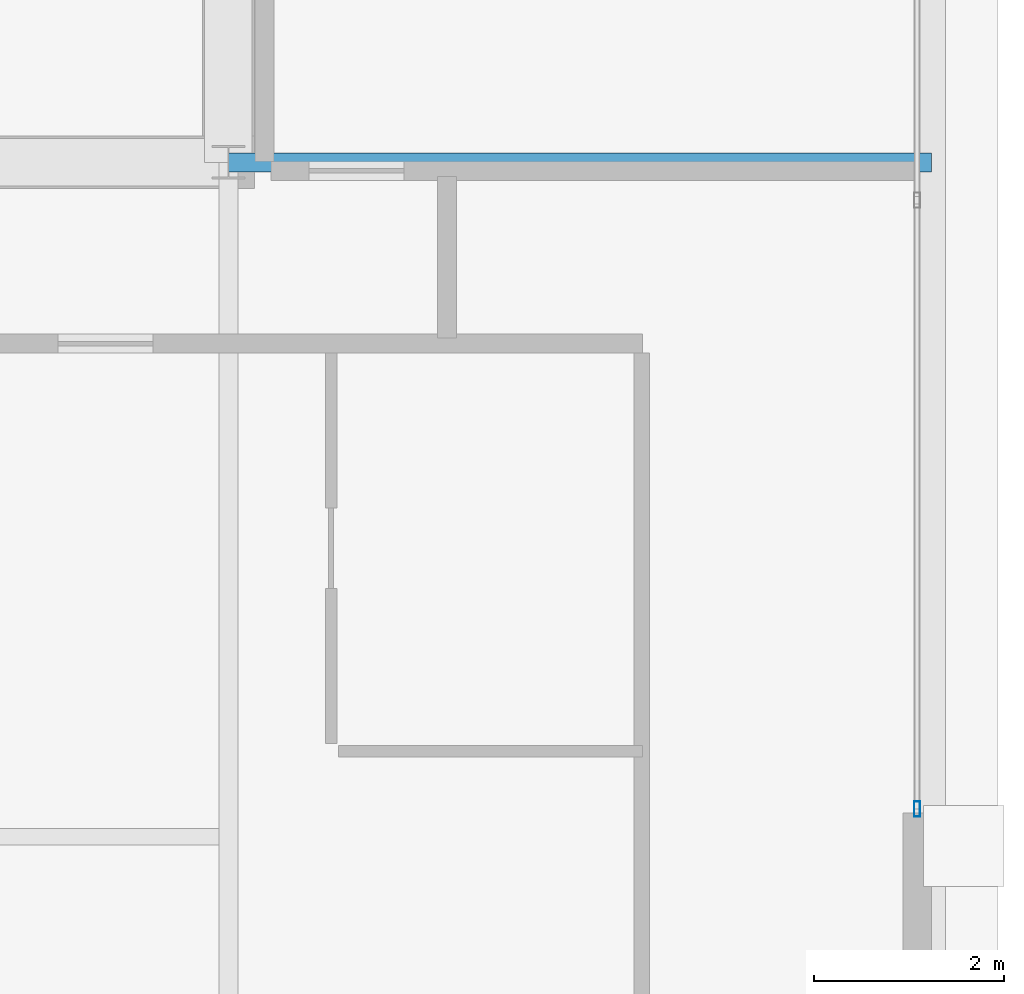
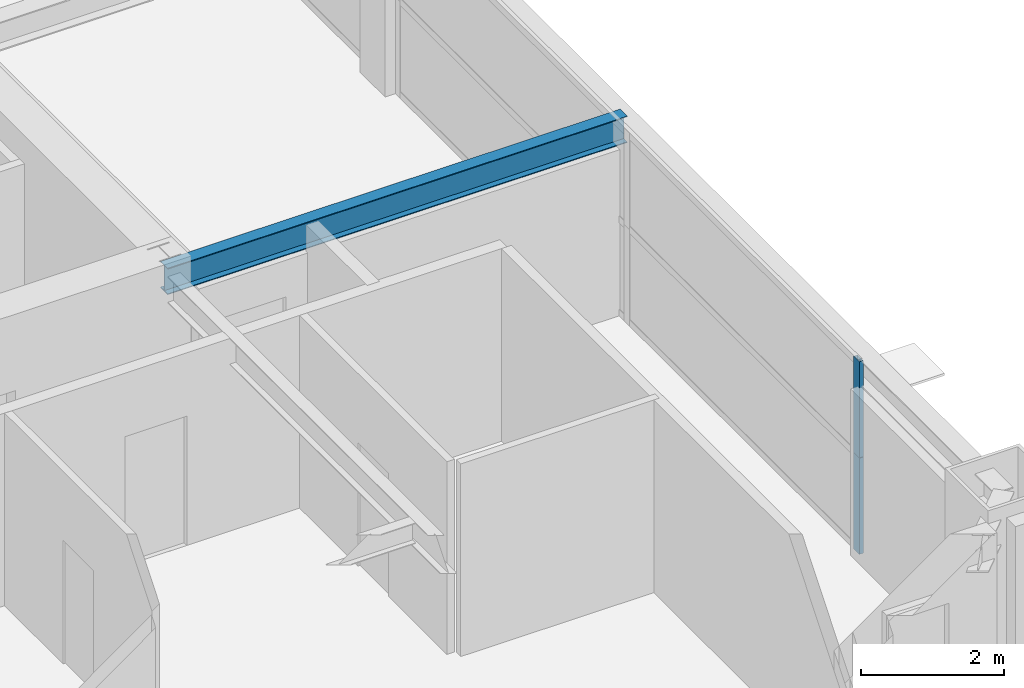
# One storey, part 18 of 37: 2 members, 1 beam, 1 element without a shape of its own.
"""IFC4 building model written with IfcOpenShell, lengths in metres."""

from ifc_helpers import new_model, si_unit, direction, frame, origin, origin_2d, place, context, subcontext, project, spatial, hollow_rectangle, i_section, extrude, source, transform, mapped, material, layer, layer_set, material_profile, profile_set, type_object, element, aggregate, save


model = new_model("IFC4")

# Units and contexts
model_context = context("Model", 3, precision=1e-05, world=origin(), true_north=direction((0.0, 1.0)))
body_context = subcontext(model_context, "Body", "Model", "MODEL_VIEW")
ifc_project = project(units=[si_unit("LENGTHUNIT", "METRE"), si_unit("AREAUNIT", "SQUARE_METRE"), si_unit("VOLUMEUNIT", "CUBIC_METRE"), si_unit("PLANEANGLEUNIT", "RADIAN"), si_unit("MASSUNIT", "GRAM", prefix="KILO"), si_unit("THERMODYNAMICTEMPERATUREUNIT", "KELVIN"), si_unit("POWERUNIT", "WATT")], contexts=[model_context])

# Site, building, storey
site_placement = place(None, origin())
site = spatial("IfcSite", under=ifc_project, at=site_placement, CompositionType="ELEMENT")
building_placement = place(site_placement, origin())
building = spatial("IfcBuilding", under=site, at=building_placement, Name="Yuzanri Waterfront Tower", CompositionType="ELEMENT")
storey_placement = place(building_placement, frame((0.0, 0.0, 268.10009765625)))
storey = spatial("IfcBuildingStorey", under=building, at=storey_placement, Name="L71", CompositionType="ELEMENT", Elevation=268.10009765625)

# Beam
ifc_material_1 = material(Name="Steel Q355B", Category="steel")
ifc_material_profile_1 = material_profile(ifc_material_1, i_section(OverallWidth=0.199951171875, OverallDepth=0.449951171875, WebThickness=0.009033203125, FlangeThickness=0.013916015625, at=origin_2d()), Name="HN 450x200x9x14")
ifc_profile_set_1 = profile_set([ifc_material_profile_1], Name="Steel Q355B")
beam_type = type_object("IfcBeamType", Name="Secondary Floor Beam Q355B HN 450x200", PredefinedType="BEAM", material=ifc_profile_set_1)
shared_shape_1 = source(origin(), body_context, "Body", "SweptSolid", [
    extrude(i_section(OverallWidth=0.199951171875, OverallDepth=0.449951171875, WebThickness=0.009033203125, FlangeThickness=0.013916015625, at=origin_2d()), origin(), (0.0, 0.0, 1.0), 7.400146484375),
])
beam_placement = place(storey_placement, frame((50.199951171875, 19.39990234375, 3.054931640625), z_axis=(1.0, 0.0, 0.0), x_axis=(0.0, 1.0, 0.0)))
element("IfcBeam", 1, at=beam_placement, inside=storey, type_object=beam_type, Name="L71 East-South Core Line Beam", PredefinedType="BEAM", context=body_context, shape_type="MappedRepresentation", body=[
    mapped(shared_shape_1, transform((0.0, 0.0, 0.0), scale=1.0)),
])

# Curtain wall, members
ifc_material_2 = material(Name="Anodized Architectural Bronze", Category="metal")
ifc_layer = layer(ifc_material_2, 0.159912109375)
ifc_layer_set = layer_set([ifc_layer], Name="Anodized Architectural Bronze")
curtain_wall_type = type_object("IfcCurtainWallType", Name="Anodized Bronze Mid-Rise Residential Acoustic Unitized Curtain Wall 7200", PredefinedType="NOTDEFINED", material=ifc_layer_set)
curtain_wall_placement = place(storey_placement, origin())
curtain_wall = element("IfcCurtainWall", 2, at=curtain_wall_placement, inside=storey, type_object=curtain_wall_type, Name="L71 Curtain Wall CW-L71-EL", PredefinedType="NOTDEFINED")
ifc_material_3 = material(Name="Anodized Architectural Bronze", Category="metal")
ifc_material_profile_2 = material_profile(ifc_material_3, hollow_rectangle(XDim=0.06494140625, YDim=0.159912109375, WallThickness=0.00341796875, at=origin_2d()), Name="CWM 65x160")
ifc_profile_set_2 = profile_set([ifc_material_profile_2], Name="Anodized Architectural Bronze")
member_type = type_object("IfcMemberType", Name="Anodized Bronze Upper-Zone Curtain-Wall Mullion 65x160", PredefinedType="MULLION", material=ifc_profile_set_2)
shared_shape_2 = source(origin(), body_context, "Body", "SweptSolid", [
    extrude(hollow_rectangle(XDim=0.06494140625, YDim=0.159912109375, WallThickness=0.00341796875, at=origin_2d()), origin(), (0.0, 0.0, 1.0), 1.637939453125),
])
member_1_placement = place(storey_placement, frame((57.449951171875, 12.590087890625, 0.0), z_axis=(0.0, 0.0, 1.0), x_axis=(1.0, 0.0, 0.0)))
member_1 = element("IfcMember", 3, at=member_1_placement, type_object=member_type, Name="CW-L71-EL Lower Mullion 00", PredefinedType="MULLION", context=body_context, shape_type="MappedRepresentation", body=[
    mapped(shared_shape_2, transform((0.0, 0.0, 0.0), scale=1.0)),
])
member_2_placement = place(storey_placement, frame((57.449951171875, 12.590087890625, 1.641845703125), z_axis=(0.0, 0.0, 1.0), x_axis=(1.0, 0.0, 0.0)))
member_2 = element("IfcMember", 4, at=member_2_placement, type_object=member_type, Name="CW-L71-EL Upper Mullion 00", PredefinedType="MULLION", context=body_context, shape_type="MappedRepresentation", body=[
    mapped(shared_shape_2, transform((0.0, 0.0, 0.0), scale=1.0)),
])
aggregate(curtain_wall, [member_1, member_2])

save(model, "model.ifc")
